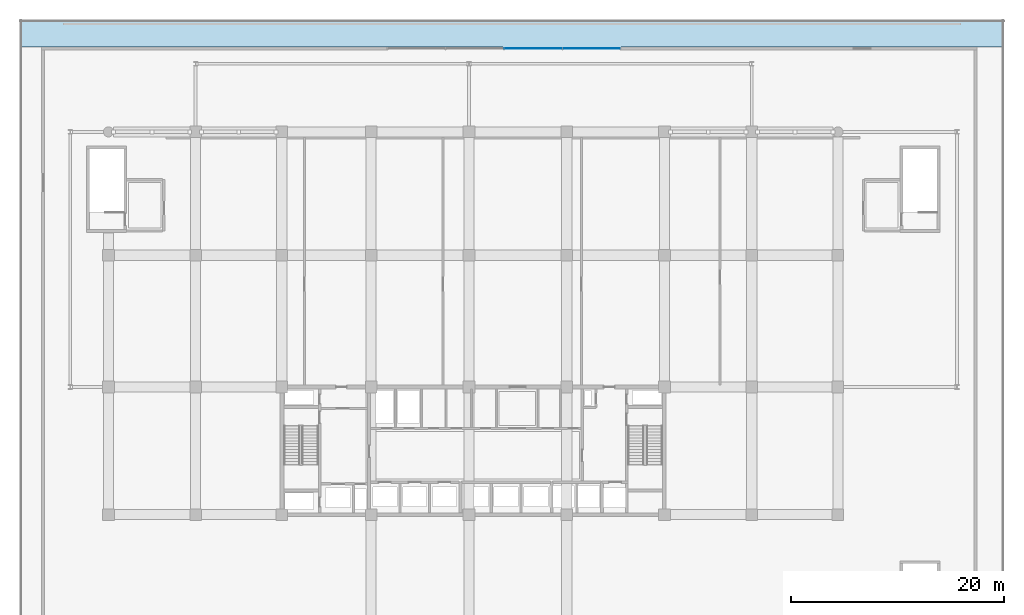
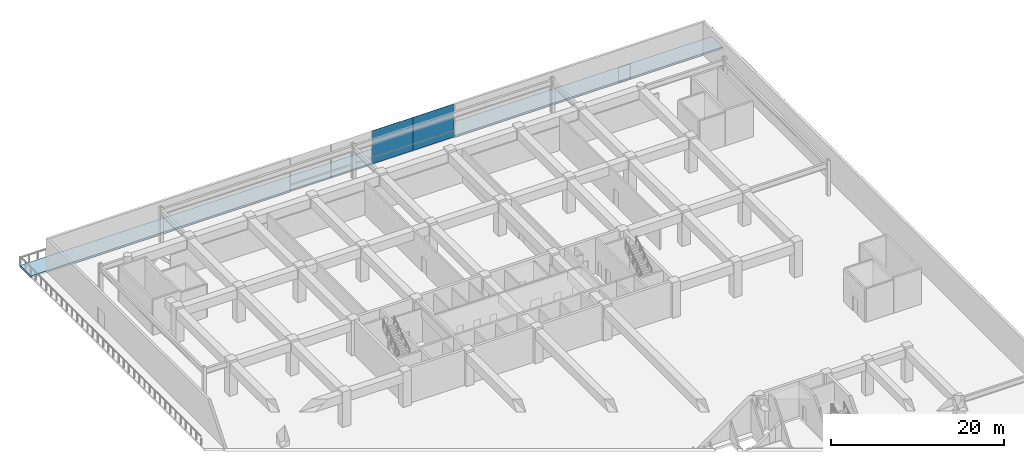
# One storey, part 18 of 38: 4 plates, 1 slab, 1 element without a shape of its own.
"""IFC4 building model written with IfcOpenShell, lengths in metres."""

import ifcopenshell
import ifcopenshell.guid

model = None  # the IFC model being written
_history = None  # IfcOwnerHistory: only IFC2X3 demands one
_inside = {}  # id of a spatial element -> (the spatial element, [elements in it])
_under = {}  # id of a project, library or spatial element -> (it, [spatial elements below it])
_declared = {}  # id of a project -> (the project, [libraries it declares])
_typed = {}  # id of a type object -> (the type object, [elements of that type])
_made_of = {}  # id of a material, layer set ... -> (it, [elements and type objects made of it])


def new_model(schema):
    """Start an empty IFC model of exactly this schema.

    Asked for "IFC4X3", IfcOpenShell would pick the latest addendum, in which some entities
    have other attributes; the version numbers below select the first issue.
    IFC2X3 requires an IfcOwnerHistory on every rooted entity: one is made here for all.
    """
    global model, _history
    if schema == "IFC4X3":
        model = ifcopenshell.file(schema_version=(4, 3, 0, 0))
    else:
        model = ifcopenshell.file(schema=schema)
    _inside.clear()
    _under.clear()
    _declared.clear()
    _typed.clear()
    _made_of.clear()
    _history = None
    if model.schema == "IFC2X3":
        org = make("IfcOrganization", Name="unknown")
        user = make(
            "IfcPersonAndOrganization",
            ThePerson=make("IfcPerson", FamilyName="unknown"),
            TheOrganization=org,
        )
        app = make(
            "IfcApplication",
            ApplicationDeveloper=org,
            Version="unknown",
            ApplicationFullName="unknown",
            ApplicationIdentifier="unknown",
        )
        _history = make(
            "IfcOwnerHistory",
            OwningUser=user,
            OwningApplication=app,
            ChangeAction="ADDED",
            CreationDate=0,
        )
    return model


def make(cls, **values):
    """One entity of the class cls with the attributes given. An attribute that is None is left unset."""
    return model.create_entity(
        cls, **{name: value for name, value in values.items() if value is not None}
    )


def rooted(cls, **values):
    """An entity with a GlobalId (a new one), such as an element, a storey or a relation."""
    return make(cls, GlobalId=ifcopenshell.guid.new(), OwnerHistory=_history, **values)


def si_unit(unit_type, name, prefix=None):
    """IfcSIUnit, for example si_unit("LENGTHUNIT", "METRE", prefix="MILLI")."""
    return make("IfcSIUnit", UnitType=unit_type, Prefix=prefix, Name=name)


def assignment(units):
    """IfcUnitAssignment: the units of a project."""
    return None if units is None else make("IfcUnitAssignment", Units=units)


def point(xyz):
    """IfcCartesianPoint."""
    return None if xyz is None else make("IfcCartesianPoint", Coordinates=xyz)


def direction(xyz):
    """IfcDirection."""
    return None if xyz is None else make("IfcDirection", DirectionRatios=xyz)


def frame(location, z_axis=None, x_axis=None):
    """IfcAxis2Placement3D, a coordinate frame: its origin and axes. An axis left out is left unset."""
    return make(
        "IfcAxis2Placement3D",
        Location=point(location),
        Axis=direction(z_axis),
        RefDirection=direction(x_axis),
    )


def frame_2d(location, x_axis=None):
    """IfcAxis2Placement2D, a coordinate frame in the plane: its origin and x axis."""
    return make(
        "IfcAxis2Placement2D", Location=point(location), RefDirection=direction(x_axis)
    )


def origin():
    """The frame at (0, 0, 0) with its axes left unset."""
    return frame((0.0, 0.0, 0.0))


def origin_2d():
    """The frame at (0, 0) in the plane with its x axis left unset."""
    return frame_2d((0.0, 0.0))


def place(relative_to, where):
    """IfcLocalPlacement: puts the frame where relative to a parent placement (None: the world)."""
    return make(
        "IfcLocalPlacement", PlacementRelTo=relative_to, RelativePlacement=where
    )


def context(
    kind, dimensions, precision=None, world=None, true_north=None, identifier=None
):
    """IfcGeometricRepresentationContext, for example the 3D "Model" context."""
    return make(
        "IfcGeometricRepresentationContext",
        ContextIdentifier=identifier,
        ContextType=kind,
        CoordinateSpaceDimension=dimensions,
        Precision=precision,
        WorldCoordinateSystem=world,
        TrueNorth=true_north,
    )


def subcontext(parent, identifier, kind, view, scale=None):
    """IfcGeometricRepresentationSubContext, for example "Body" below "Model"."""
    return make(
        "IfcGeometricRepresentationSubContext",
        ContextIdentifier=identifier,
        ContextType=kind,
        ParentContext=parent,
        TargetScale=scale,
        TargetView=view,
    )


def project(units=None, contexts=None):
    """IfcProject with its units and contexts."""
    return rooted(
        "IfcProject",
        Name="project",
        RepresentationContexts=contexts,
        UnitsInContext=assignment(units),
    )


def spatial(cls, under=None, at=None, **own):
    """A site, building, storey or space (cls), placed at a placement, below another one or the project."""
    s = rooted(cls, ObjectPlacement=at, **own)
    if under is not None:
        _under.setdefault(under.id(), (under, []))[1].append(s)
    return s


def polyline(points):
    """IfcPolyline through the points."""
    return make("IfcPolyline", Points=[point(p) for p in points])


def profile(cls, at=None, kind="AREA", **sizes):
    """A parametric profile (cls). Its sizes go by their IFC names, for example OverallWidth=200.0."""
    return make(cls, ProfileType=kind, Position=at, **sizes)


def rectangle(**sizes):
    """IfcRectangleProfileDef."""
    return profile("IfcRectangleProfileDef", **sizes)


def outline(outer, holes=None, kind="AREA"):
    """IfcArbitraryClosedProfileDef: a profile drawn as a closed curve; with holes, ...WithVoids."""
    if holes is None:
        return make("IfcArbitraryClosedProfileDef", ProfileType=kind, OuterCurve=outer)
    return make(
        "IfcArbitraryProfileDefWithVoids",
        ProfileType=kind,
        OuterCurve=outer,
        InnerCurves=holes,
    )


def extrude(swept, where, along, depth):
    """IfcExtrudedAreaSolid: the profile swept, set in the frame where, extruded along a direction by depth."""
    return make(
        "IfcExtrudedAreaSolid",
        SweptArea=swept,
        Position=where,
        ExtrudedDirection=direction(along),
        Depth=depth,
    )


def shape(context_of_items, identifier, shape_type, items):
    """IfcShapeRepresentation: the items that make up one representation, for example the "Body"."""
    return make(
        "IfcShapeRepresentation",
        ContextOfItems=context_of_items,
        RepresentationIdentifier=identifier,
        RepresentationType=shape_type,
        Items=items,
    )


def material(Name=None, Category=None):
    """IfcMaterial."""
    return make("IfcMaterial", Name=Name, Category=Category)


def layer(
    of_material, thickness, ventilated=None, Name=None, Category=None, Priority=None
):
    """IfcMaterialLayer: one layer of a wall or slab, of a material (None: an air gap)."""
    return make(
        "IfcMaterialLayer",
        Material=of_material,
        LayerThickness=thickness,
        IsVentilated=ventilated,
        Name=Name,
        Category=Category,
        Priority=Priority,
    )


def layer_set(layers, Name=None):
    """IfcMaterialLayerSet."""
    return make("IfcMaterialLayerSet", MaterialLayers=layers, LayerSetName=Name)


def made_of(thing, what):
    """Note that an element or type object is made of a material, layer set ...; save() writes the relation."""
    if what is not None:
        _made_of.setdefault(what.id(), (what, []))[1].append(thing)
    return thing


def type_object(cls, material=None, **own):
    """A type object (cls), such as IfcWallType, which elements share."""
    return made_of(rooted(cls, **own), material)


def element(
    cls,
    number,
    at=None,
    inside=None,
    cuts=None,
    type_object=None,
    material=None,
    context=None,
    identifier="Body",
    shape_type=None,
    held_by="IfcProductDefinitionShape",
    body=None,
    shapes=None,
    **own,
):
    """One element of the class cls, such as IfcWall. Its Tag is "e" and its number.

    at: its placement. inside: the storey or other place that contains it. cuts: it is an
    opening in that element (IfcRelVoidsElement). A single representation is given by context,
    identifier, shape_type and body (its items); several are given by shapes. held_by: the class
    of the entity that holds the representations. save() writes the other relations.
    """
    e = rooted(cls, Tag="e%d" % number, ObjectPlacement=at, **own)
    if body is not None:
        shapes = [shape(context, identifier, shape_type, body)]
    if shapes is not None:
        e.Representation = make(held_by, Representations=shapes)
    if inside is not None:
        _inside.setdefault(inside.id(), (inside, []))[1].append(e)
    if cuts is not None:
        rooted(
            "IfcRelVoidsElement", RelatingBuildingElement=cuts, RelatedOpeningElement=e
        )
    if type_object is not None:
        _typed.setdefault(type_object.id(), (type_object, []))[1].append(e)
    return made_of(e, material)


def aggregate(whole, parts):
    """IfcRelAggregates: a whole, such as a stair, and the parts it consists of."""
    return rooted("IfcRelAggregates", RelatingObject=whole, RelatedObjects=parts)


def save(model, path):
    """Write the relations noted so far, then the file.

    IfcRelAggregates (storeys below a building ...), IfcRelContainedInSpatialStructure (elements
    in a storey), IfcRelDefinesByType, IfcRelAssociatesMaterial and IfcRelDeclares: one each for
    every whole, place, type object, material and project.
    """
    for whole, parts in _under.values():
        aggregate(whole, parts)
    for where, things in _inside.values():
        rooted(
            "IfcRelContainedInSpatialStructure",
            RelatedElements=things,
            RelatingStructure=where,
        )
    for kind, things in _typed.values():
        rooted("IfcRelDefinesByType", RelatedObjects=things, RelatingType=kind)
    for what, things in _made_of.values():
        rooted("IfcRelAssociatesMaterial", RelatedObjects=things, RelatingMaterial=what)
    for by, libraries in _declared.values():
        rooted("IfcRelDeclares", RelatingContext=by, RelatedDefinitions=libraries)
    model.write(path)


model = new_model("IFC4")

# Units and contexts
model_context = context("Model", 3, precision=1e-05, world=origin(), true_north=direction((0.0, 1.0)))
body_context = subcontext(model_context, "Body", "Model", "MODEL_VIEW")
ifc_project = project(units=[si_unit("LENGTHUNIT", "METRE"), si_unit("AREAUNIT", "SQUARE_METRE"), si_unit("VOLUMEUNIT", "CUBIC_METRE"), si_unit("PLANEANGLEUNIT", "RADIAN"), si_unit("MASSUNIT", "GRAM", prefix="KILO")], contexts=[model_context])

# Site, building, storey
site_placement = place(None, origin())
site = spatial("IfcSite", under=ifc_project, at=site_placement, CompositionType="ELEMENT")
building_placement = place(site_placement, origin())
building = spatial("IfcBuilding", under=site, at=building_placement, Name="Korimba Cascade Residences", CompositionType="ELEMENT")
storey_placement = place(building_placement, frame((0.0, 0.0, 19.0)))
storey = spatial("IfcBuildingStorey", under=building, at=storey_placement, Name="L04", CompositionType="ELEMENT", Elevation=19.0)

# Curtain wall, plates
ifc_material_1 = material(Name="Anodised Aluminium Curtain Wall Framing", Category="aluminium")
ifc_layer_1 = layer(ifc_material_1, 0.179931640625)
ifc_layer_set_1 = layer_set([ifc_layer_1], Name="Anodised Aluminium Curtain Wall Framing")
curtain_wall_type = type_object("IfcCurtainWallType", Name="CW-POD-SYS1", PredefinedType="NOTDEFINED", material=ifc_layer_set_1)
curtain_wall_placement = place(storey_placement, origin())
curtain_wall = element("IfcCurtainWall", 1, at=curtain_wall_placement, inside=storey, type_object=curtain_wall_type, Name="L04 Curtain Wall CW-L04-POD-N", PredefinedType="NOTDEFINED")
ifc_material_2 = material(Name="Insulated Stone-Tone Spandrel Panel", Category="masonry")
ifc_layer_2 = layer(ifc_material_2, 0.0400390625)
ifc_layer_set_2 = layer_set([ifc_layer_2], Name="Insulated Stone-Tone Spandrel Panel")
plate_type_1 = type_object("IfcPlateType", Name="CWP-SPN-40", PredefinedType="USERDEFINED", material=ifc_layer_set_2)
plate_1_placement = place(storey_placement, frame((105.22998046875, 99.050048828125, 0.0), z_axis=(0.0, 0.0, 1.0), x_axis=(-1.0, 0.0, 0.0)))
plate_1 = element("IfcPlate", 2, at=plate_1_placement, type_object=plate_type_1, Name="CW-L04-POD-N Spandrel Panel 1", ObjectType="SPANDREL", PredefinedType="USERDEFINED", context=body_context, shape_type="SweptSolid", body=[
    extrude(rectangle(XDim=5.409912109375, YDim=0.0400390625, at=origin_2d()), origin(), (0.0, 0.0, 1.0), 0.89990234375),
])
plate_2_placement = place(storey_placement, frame((99.75, 99.050048828125, 0.0), z_axis=(0.0, 0.0, 1.0), x_axis=(-1.0, 0.0, 0.0)))
plate_2 = element("IfcPlate", 3, at=plate_2_placement, type_object=plate_type_1, Name="CW-L04-POD-N Spandrel Panel 2", ObjectType="SPANDREL", PredefinedType="USERDEFINED", context=body_context, shape_type="SweptSolid", body=[
    extrude(rectangle(XDim=5.449951171875, YDim=0.0400390625, at=origin_2d()), origin(), (0.0, 0.0, 1.0), 0.89990234375),
])
ifc_material_3 = material(Name="Low-E Double Glazing Unit", Category="glass")
ifc_layer_3 = layer(ifc_material_3, 0.028076171875)
ifc_layer_set_3 = layer_set([ifc_layer_3], Name="Low-E Double Glazing Unit")
plate_type_2 = type_object("IfcPlateType", Name="CWP-VIS-28", PredefinedType="CURTAIN_PANEL", material=ifc_layer_set_3)
plate_3_placement = place(storey_placement, frame((105.22998046875, 99.050048828125, 0.89990234375), z_axis=(0.0, 0.0, 1.0), x_axis=(-1.0, 0.0, 0.0)))
plate_3 = element("IfcPlate", 4, at=plate_3_placement, type_object=plate_type_2, Name="CW-L04-POD-N Vision Glass Panel 1", PredefinedType="CURTAIN_PANEL", context=body_context, shape_type="SweptSolid", body=[
    extrude(rectangle(XDim=5.409912109375, YDim=0.028076171875, at=origin_2d()), origin(), (0.0, 0.0, 1.0), 3.780029296875),
])
plate_4_placement = place(storey_placement, frame((99.75, 99.050048828125, 0.89990234375), z_axis=(0.0, 0.0, 1.0), x_axis=(-1.0, 0.0, 0.0)))
plate_4 = element("IfcPlate", 5, at=plate_4_placement, type_object=plate_type_2, Name="CW-L04-POD-N Vision Glass Panel 2", PredefinedType="CURTAIN_PANEL", context=body_context, shape_type="SweptSolid", body=[
    extrude(rectangle(XDim=5.449951171875, YDim=0.028076171875, at=origin_2d()), origin(), (0.0, 0.0, 1.0), 3.780029296875),
])
aggregate(curtain_wall, [plate_1, plate_3, plate_2, plate_4])

# Slab
ifc_material_4 = material(Name="Concrete C50/60", Category="concrete")
ifc_layer_4 = layer(ifc_material_4, 0.260009765625)
ifc_layer_set_4 = layer_set([ifc_layer_4], Name="Concrete C50/60")
slab_type = type_object("IfcSlabType", Name="SLB-TER-260", PredefinedType="FLOOR", material=ifc_layer_set_4)
slab_placement = place(storey_placement, frame((0.0, 0.0, -0.260009765625)))
element("IfcSlab", 6, at=slab_placement, inside=storey, type_object=slab_type, Name="L04 Cascading Garden Terrace Slab N", PredefinedType="FLOOR", context=body_context, shape_type="SweptSolid", body=[
    extrude(outline(polyline([(51.5, 99.199951171875), (144.0, 99.199951171875), (144.0, 101.699951171875), (51.5, 101.699951171875), (51.5, 99.199951171875)])), origin(), (0.0, 0.0, 1.0), 0.260009765625),
])

save(model, "model.ifc")
